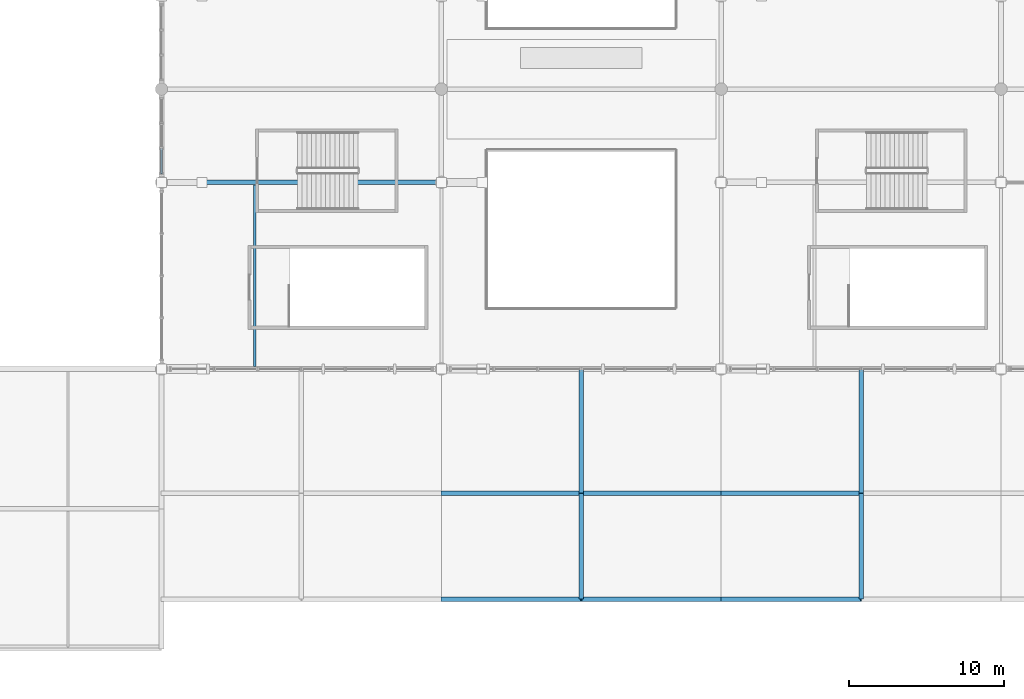
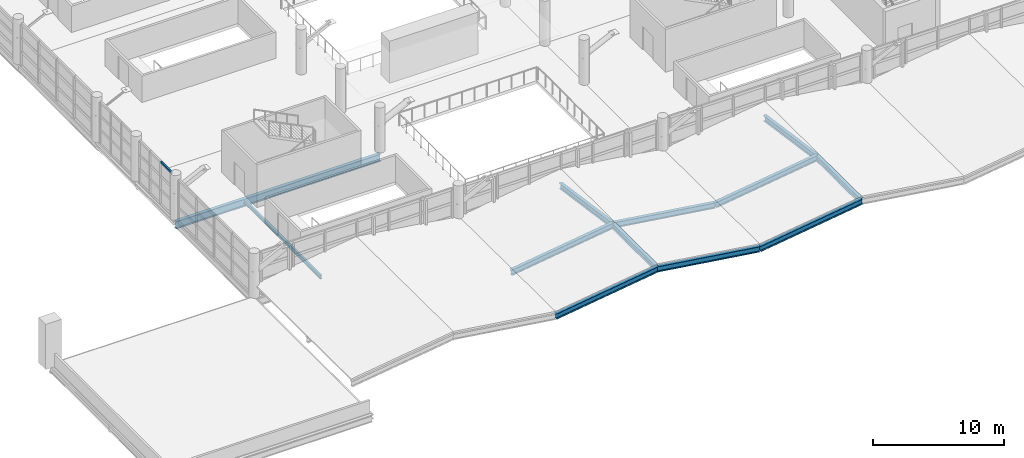
# One storey, part 9 of 136: 12 beams, 1 member, 1 element without a shape of its own.
"""IFC4 building model written with IfcOpenShell, lengths in metres."""

from ifc_helpers import new_model, si_unit, direction, frame, origin, origin_2d, place, context, subcontext, project, spatial, hollow_rectangle, i_section, extrude, material, material_profile, profile_set, type_object, element, aggregate, save


model = new_model("IFC4")

# Units and contexts
model_context = context("Model", 3, precision=1e-05, world=origin(), true_north=direction((0.0, 1.0)))
body_context = subcontext(model_context, "Body", "Model", "MODEL_VIEW")
ifc_project = project(units=[si_unit("LENGTHUNIT", "METRE"), si_unit("AREAUNIT", "SQUARE_METRE"), si_unit("VOLUMEUNIT", "CUBIC_METRE"), si_unit("PLANEANGLEUNIT", "RADIAN"), si_unit("MASSUNIT", "GRAM", prefix="KILO")], contexts=[model_context])

# Site, building, storey
site_placement = place(None, origin())
site = spatial("IfcSite", under=ifc_project, at=site_placement, CompositionType="ELEMENT")
building_placement = place(site_placement, origin())
building = spatial("IfcBuilding", under=site, at=building_placement, Name="Chuanluo Vaults Station", CompositionType="ELEMENT")
storey_placement = place(building_placement, frame((0.0, 0.0, 6.60009765625)))
storey = spatial("IfcBuildingStorey", under=building, at=storey_placement, Name="L01", CompositionType="ELEMENT", Elevation=6.60009765625)

# Beams
ifc_material_1 = material(Name="Steel Q355C", Category="steel")
ifc_material_profile_1 = material_profile(ifc_material_1, i_section(OverallWidth=0.294921875, OverallDepth=0.510009765625, WebThickness=0.010986328125, FlangeThickness=0.01806640625, FilletRadius=0.02001953125, at=origin_2d()))
ifc_profile_set_1 = profile_set([ifc_material_profile_1], Name="Steel Q355C")
beam_type_1 = type_object("IfcBeamType", Name="BM-CAN-500", PredefinedType="BEAM", material=ifc_profile_set_1)
beam_1_placement = place(storey_placement, frame((45.0, 3.199951171875, 2.039794921875), z_axis=(0.0, 0.999982876596, -0.005852052163), x_axis=(-1.0, 0.0, 0.0)))
element("IfcBeam", 1, at=beam_1_placement, inside=storey, type_object=beam_type_1, Name="Arrival canopy ridge transverse girder 2A", PredefinedType="BEAM", context=body_context, shape_type="SweptSolid", body=[
    extrude(i_section(OverallWidth=0.294921875, OverallDepth=0.510009765625, WebThickness=0.010986328125, FlangeThickness=0.01806640625, FilletRadius=0.02001953125, at=origin_2d()), origin(), (0.0, 0.0, 1.0), 6.800048828125),
])
beam_2_placement = place(storey_placement, frame((45.0, 10.0, 2.0), z_axis=(0.0, 0.989822833852, -0.142305156564), x_axis=(-1.0, 0.0, 0.0)))
element("IfcBeam", 2, at=beam_2_placement, inside=storey, type_object=beam_type_1, Name="Arrival canopy ridge transverse girder 2B", PredefinedType="BEAM", context=body_context, shape_type="SweptSolid", body=[
    extrude(i_section(OverallWidth=0.294921875, OverallDepth=0.510009765625, WebThickness=0.010986328125, FlangeThickness=0.01806640625, FilletRadius=0.02001953125, at=origin_2d()), origin(), (0.0, 0.0, 1.0), 8.082275390625),
])
for number, where, z_axis, x_axis, name in (
    (3, (36.0, 3.199951171875, 0.789794921875), (0.99003685604, 0.0, 0.140808464524), (0.0, 1.0, 0.0), "Arrival canopy front arch girder 2-W"),
    (4, (36.0, 10.0, 0.744873046875), (0.99003685604, 0.0, 0.140808464524), (0.0, 1.0, 0.0), "Arrival canopy mid arch girder 2-W"),
    (5, (45.0, 3.199951171875, 2.06982421875), (0.99003685604, 0.0, -0.140808464524), (0.0, 1.0, 0.0), "Arrival canopy front arch girder 2-E"),
    (6, (45.0, 10.0, 2.02490234375), (0.99003685604, 0.0, -0.140808464524), (0.0, 1.0, 0.0), "Arrival canopy mid arch girder 2-E"),
):
    element("IfcBeam", number, at=place(storey_placement, frame(where, z_axis=z_axis, x_axis=x_axis)), inside=storey, type_object=beam_type_1, Name=name, PredefinedType="BEAM", context=body_context, shape_type="SweptSolid", body=[
        extrude(i_section(OverallWidth=0.294921875, OverallDepth=0.510009765625, WebThickness=0.010986328125, FlangeThickness=0.01806640625, FilletRadius=0.02001953125, at=origin_2d()), origin(), (0.0, 0.0, 1.0), 9.090576171875),
    ])
beam_3_placement = place(storey_placement, frame((63.0, 3.199951171875, 2.039794921875), z_axis=(0.0, 0.999982876596, -0.005852052163), x_axis=(-1.0, 0.0, 0.0)))
element("IfcBeam", 7, at=beam_3_placement, inside=storey, type_object=beam_type_1, Name="Arrival canopy ridge transverse girder 3A", PredefinedType="BEAM", context=body_context, shape_type="SweptSolid", body=[
    extrude(i_section(OverallWidth=0.294921875, OverallDepth=0.510009765625, WebThickness=0.010986328125, FlangeThickness=0.01806640625, FilletRadius=0.02001953125, at=origin_2d()), origin(), (0.0, 0.0, 1.0), 6.800048828125),
])
beam_4_placement = place(storey_placement, frame((63.0, 10.0, 2.0), z_axis=(0.0, 0.989822833852, -0.142305156564), x_axis=(-1.0, 0.0, 0.0)))
element("IfcBeam", 8, at=beam_4_placement, inside=storey, type_object=beam_type_1, Name="Arrival canopy ridge transverse girder 3B", PredefinedType="BEAM", context=body_context, shape_type="SweptSolid", body=[
    extrude(i_section(OverallWidth=0.294921875, OverallDepth=0.510009765625, WebThickness=0.010986328125, FlangeThickness=0.01806640625, FilletRadius=0.02001953125, at=origin_2d()), origin(), (0.0, 0.0, 1.0), 8.082275390625),
])
for number, where, z_axis, x_axis, name in (
    (9, (54.0, 3.199951171875, 0.789794921875), (0.99003685604, 0.0, 0.140808464524), (0.0, 1.0, 0.0), "Arrival canopy front arch girder 3-W"),
    (10, (54.0, 10.0, 0.744873046875), (0.99003685604, 0.0, 0.140808464524), (0.0, 1.0, 0.0), "Arrival canopy mid arch girder 3-W"),
):
    element("IfcBeam", number, at=place(storey_placement, frame(where, z_axis=z_axis, x_axis=x_axis)), inside=storey, type_object=beam_type_1, Name=name, PredefinedType="BEAM", context=body_context, shape_type="SweptSolid", body=[
        extrude(i_section(OverallWidth=0.294921875, OverallDepth=0.510009765625, WebThickness=0.010986328125, FlangeThickness=0.01806640625, FilletRadius=0.02001953125, at=origin_2d()), origin(), (0.0, 0.0, 1.0), 9.090576171875),
    ])
ifc_material_2 = material(Name="Steel Q355C", Category="steel")
ifc_material_profile_2 = material_profile(ifc_material_2, i_section(OverallWidth=0.300048828125, OverallDepth=0.699951171875, WebThickness=0.012939453125, FlangeThickness=0.02392578125, FilletRadius=0.02197265625, at=origin_2d()))
ifc_profile_set_2 = profile_set([ifc_material_profile_2], Name="Steel Q355C")
beam_type_2 = type_object("IfcBeamType", Name="BM-GRD-700", PredefinedType="USERDEFINED", material=ifc_profile_set_2)
beam_5_placement = place(storey_placement, frame((18.0, 30.0, -0.630126953125), z_axis=(1.0, 0.0, 0.0), x_axis=(0.0, 1.0, 0.0)))
element("IfcBeam", 11, at=beam_5_placement, inside=storey, type_object=beam_type_2, Name="Floor girder BM:GX:L01:0302", ObjectType="GIRDER", PredefinedType="USERDEFINED", context=body_context, shape_type="SweptSolid", body=[
    extrude(i_section(OverallWidth=0.300048828125, OverallDepth=0.699951171875, WebThickness=0.012939453125, FlangeThickness=0.02392578125, FilletRadius=0.02197265625, at=origin_2d()), origin(), (0.0, 0.0, 1.0), 18.0),
])
ifc_material_3 = material(Name="Steel Q355C", Category="steel")
ifc_material_profile_3 = material_profile(ifc_material_3, i_section(OverallWidth=0.175048828125, OverallDepth=0.35009765625, WebThickness=0.007080078125, FlangeThickness=0.010986328125, FilletRadius=0.013916015625, at=origin_2d()))
ifc_profile_set_3 = profile_set([ifc_material_profile_3], Name="Steel Q355C")
beam_type_3 = type_object("IfcBeamType", Name="BM-SEC-350", PredefinedType="JOIST", material=ifc_profile_set_3)
beam_6_placement = place(storey_placement, frame((24.0, 18.155029296875, -0.455078125), z_axis=(0.0, 1.0, 0.0), x_axis=(-1.0, 0.0, 0.0)))
element("IfcBeam", 12, at=beam_6_placement, inside=storey, type_object=beam_type_3, Name="Composite secondary joist 0112", PredefinedType="JOIST", context=body_context, shape_type="SweptSolid", body=[
    extrude(i_section(OverallWidth=0.175048828125, OverallDepth=0.35009765625, WebThickness=0.007080078125, FlangeThickness=0.010986328125, FilletRadius=0.013916015625, at=origin_2d()), origin(), (0.0, 0.0, 1.0), 11.68994140625),
])

# Curtain wall, member
ifc_material_4 = material(Name="Anodised aluminium 6063-T6", Category="aluminium")
curtain_wall_type = type_object("IfcCurtainWallType", Name="CW-SYS-03", PredefinedType="NOTDEFINED", material=ifc_material_4)
curtain_wall_placement = place(storey_placement, origin())
curtain_wall = element("IfcCurtainWall", 13, at=curtain_wall_placement, inside=storey, type_object=curtain_wall_type, Name="Concourse west curtain wall 30 part 1", PredefinedType="NOTDEFINED")
ifc_material_5 = material(Name="Anodised aluminium 6063-T6", Category="aluminium")
ifc_material_profile_4 = material_profile(ifc_material_5, hollow_rectangle(XDim=0.1201171875, YDim=0.205078125, WallThickness=0.006103515625, at=origin_2d()))
ifc_profile_set_4 = profile_set([ifc_material_profile_4], Name="Anodised aluminium 6063-T6")
member_type = type_object("IfcMemberType", Name="CWT-130", PredefinedType="USERDEFINED", material=ifc_profile_set_4)
member_placement = place(storey_placement, frame((18.0, 30.574951171875, 3.849853515625), z_axis=(0.0, 1.0, 0.0), x_axis=(-1.0, 0.0, 0.0)))
member = element("IfcMember", 14, at=member_placement, type_object=member_type, Name="Concourse west curtain wall 30 part 1 transom 1.4", ObjectType="TRANSOM", PredefinedType="USERDEFINED", context=body_context, shape_type="SweptSolid", body=[
    extrude(hollow_rectangle(XDim=0.1201171875, YDim=0.205078125, WallThickness=0.006103515625, at=origin_2d()), origin(), (0.0, 0.0, 1.0), 1.61669921875),
])
aggregate(curtain_wall, [member])

save(model, "model.ifc")
